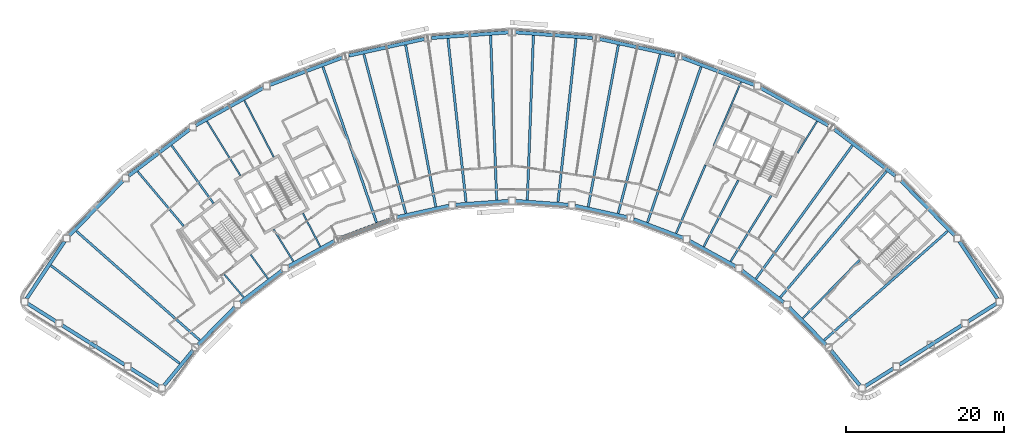
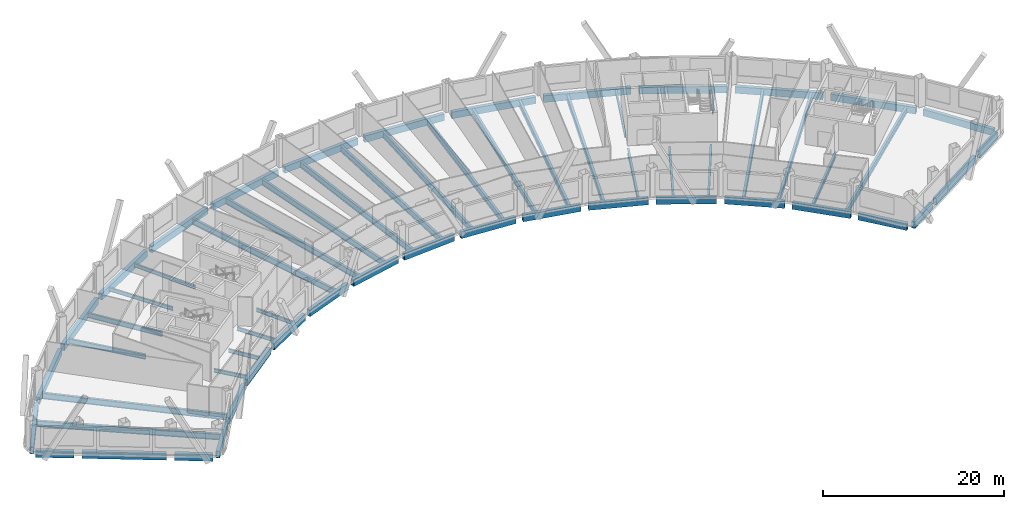
# One storey, part 3 of 13: 63 beams.
"""IFC4 building model written with IfcOpenShell, lengths in metres."""

import ifcopenshell
import ifcopenshell.guid

model = None  # the IFC model being written
_history = None  # IfcOwnerHistory: only IFC2X3 demands one
_inside = {}  # id of a spatial element -> (the spatial element, [elements in it])
_under = {}  # id of a project, library or spatial element -> (it, [spatial elements below it])
_declared = {}  # id of a project -> (the project, [libraries it declares])
_typed = {}  # id of a type object -> (the type object, [elements of that type])
_made_of = {}  # id of a material, layer set ... -> (it, [elements and type objects made of it])


def new_model(schema):
    """Start an empty IFC model of exactly this schema.

    Asked for "IFC4X3", IfcOpenShell would pick the latest addendum, in which some entities
    have other attributes; the version numbers below select the first issue.
    IFC2X3 requires an IfcOwnerHistory on every rooted entity: one is made here for all.
    """
    global model, _history
    if schema == "IFC4X3":
        model = ifcopenshell.file(schema_version=(4, 3, 0, 0))
    else:
        model = ifcopenshell.file(schema=schema)
    _inside.clear()
    _under.clear()
    _declared.clear()
    _typed.clear()
    _made_of.clear()
    _history = None
    if model.schema == "IFC2X3":
        org = make("IfcOrganization", Name="unknown")
        user = make(
            "IfcPersonAndOrganization",
            ThePerson=make("IfcPerson", FamilyName="unknown"),
            TheOrganization=org,
        )
        app = make(
            "IfcApplication",
            ApplicationDeveloper=org,
            Version="unknown",
            ApplicationFullName="unknown",
            ApplicationIdentifier="unknown",
        )
        _history = make(
            "IfcOwnerHistory",
            OwningUser=user,
            OwningApplication=app,
            ChangeAction="ADDED",
            CreationDate=0,
        )
    return model


def make(cls, **values):
    """One entity of the class cls with the attributes given. An attribute that is None is left unset."""
    return model.create_entity(
        cls, **{name: value for name, value in values.items() if value is not None}
    )


def rooted(cls, **values):
    """An entity with a GlobalId (a new one), such as an element, a storey or a relation."""
    return make(cls, GlobalId=ifcopenshell.guid.new(), OwnerHistory=_history, **values)


def si_unit(unit_type, name, prefix=None):
    """IfcSIUnit, for example si_unit("LENGTHUNIT", "METRE", prefix="MILLI")."""
    return make("IfcSIUnit", UnitType=unit_type, Prefix=prefix, Name=name)


def assignment(units):
    """IfcUnitAssignment: the units of a project."""
    return None if units is None else make("IfcUnitAssignment", Units=units)


def point(xyz):
    """IfcCartesianPoint."""
    return None if xyz is None else make("IfcCartesianPoint", Coordinates=xyz)


def direction(xyz):
    """IfcDirection."""
    return None if xyz is None else make("IfcDirection", DirectionRatios=xyz)


def frame(location, z_axis=None, x_axis=None):
    """IfcAxis2Placement3D, a coordinate frame: its origin and axes. An axis left out is left unset."""
    return make(
        "IfcAxis2Placement3D",
        Location=point(location),
        Axis=direction(z_axis),
        RefDirection=direction(x_axis),
    )


def frame_2d(location, x_axis=None):
    """IfcAxis2Placement2D, a coordinate frame in the plane: its origin and x axis."""
    return make(
        "IfcAxis2Placement2D", Location=point(location), RefDirection=direction(x_axis)
    )


def origin():
    """The frame at (0, 0, 0) with its axes left unset."""
    return frame((0.0, 0.0, 0.0))


def origin_2d():
    """The frame at (0, 0) in the plane with its x axis left unset."""
    return frame_2d((0.0, 0.0))


def place(relative_to, where):
    """IfcLocalPlacement: puts the frame where relative to a parent placement (None: the world)."""
    return make(
        "IfcLocalPlacement", PlacementRelTo=relative_to, RelativePlacement=where
    )


def context(
    kind, dimensions, precision=None, world=None, true_north=None, identifier=None
):
    """IfcGeometricRepresentationContext, for example the 3D "Model" context."""
    return make(
        "IfcGeometricRepresentationContext",
        ContextIdentifier=identifier,
        ContextType=kind,
        CoordinateSpaceDimension=dimensions,
        Precision=precision,
        WorldCoordinateSystem=world,
        TrueNorth=true_north,
    )


def subcontext(parent, identifier, kind, view, scale=None):
    """IfcGeometricRepresentationSubContext, for example "Body" below "Model"."""
    return make(
        "IfcGeometricRepresentationSubContext",
        ContextIdentifier=identifier,
        ContextType=kind,
        ParentContext=parent,
        TargetScale=scale,
        TargetView=view,
    )


def project(units=None, contexts=None):
    """IfcProject with its units and contexts."""
    return rooted(
        "IfcProject",
        Name="project",
        RepresentationContexts=contexts,
        UnitsInContext=assignment(units),
    )


def spatial(cls, under=None, at=None, **own):
    """A site, building, storey or space (cls), placed at a placement, below another one or the project."""
    s = rooted(cls, ObjectPlacement=at, **own)
    if under is not None:
        _under.setdefault(under.id(), (under, []))[1].append(s)
    return s


def profile(cls, at=None, kind="AREA", **sizes):
    """A parametric profile (cls). Its sizes go by their IFC names, for example OverallWidth=200.0."""
    return make(cls, ProfileType=kind, Position=at, **sizes)


def hollow_rectangle(**sizes):
    """IfcRectangleHollowProfileDef."""
    return profile("IfcRectangleHollowProfileDef", **sizes)


def i_section(**sizes):
    """IfcIShapeProfileDef."""
    return profile("IfcIShapeProfileDef", **sizes)


def extrude(swept, where, along, depth):
    """IfcExtrudedAreaSolid: the profile swept, set in the frame where, extruded along a direction by depth."""
    return make(
        "IfcExtrudedAreaSolid",
        SweptArea=swept,
        Position=where,
        ExtrudedDirection=direction(along),
        Depth=depth,
    )


def shape(context_of_items, identifier, shape_type, items):
    """IfcShapeRepresentation: the items that make up one representation, for example the "Body"."""
    return make(
        "IfcShapeRepresentation",
        ContextOfItems=context_of_items,
        RepresentationIdentifier=identifier,
        RepresentationType=shape_type,
        Items=items,
    )


def material(Name=None, Category=None):
    """IfcMaterial."""
    return make("IfcMaterial", Name=Name, Category=Category)


def material_profile(
    of_material, cross_section, Name=None, Category=None, Priority=None
):
    """IfcMaterialProfile: a cross section and its material."""
    return make(
        "IfcMaterialProfile",
        Name=Name,
        Material=of_material,
        Profile=cross_section,
        Priority=Priority,
        Category=Category,
    )


def profile_set(profiles, Name=None, composite=None):
    """IfcMaterialProfileSet."""
    return make(
        "IfcMaterialProfileSet",
        Name=Name,
        MaterialProfiles=profiles,
        CompositeProfile=composite,
    )


def made_of(thing, what):
    """Note that an element or type object is made of a material, layer set ...; save() writes the relation."""
    if what is not None:
        _made_of.setdefault(what.id(), (what, []))[1].append(thing)
    return thing


def type_object(cls, material=None, **own):
    """A type object (cls), such as IfcWallType, which elements share."""
    return made_of(rooted(cls, **own), material)


def element(
    cls,
    number,
    at=None,
    inside=None,
    cuts=None,
    type_object=None,
    material=None,
    context=None,
    identifier="Body",
    shape_type=None,
    held_by="IfcProductDefinitionShape",
    body=None,
    shapes=None,
    **own,
):
    """One element of the class cls, such as IfcWall. Its Tag is "e" and its number.

    at: its placement. inside: the storey or other place that contains it. cuts: it is an
    opening in that element (IfcRelVoidsElement). A single representation is given by context,
    identifier, shape_type and body (its items); several are given by shapes. held_by: the class
    of the entity that holds the representations. save() writes the other relations.
    """
    e = rooted(cls, Tag="e%d" % number, ObjectPlacement=at, **own)
    if body is not None:
        shapes = [shape(context, identifier, shape_type, body)]
    if shapes is not None:
        e.Representation = make(held_by, Representations=shapes)
    if inside is not None:
        _inside.setdefault(inside.id(), (inside, []))[1].append(e)
    if cuts is not None:
        rooted(
            "IfcRelVoidsElement", RelatingBuildingElement=cuts, RelatedOpeningElement=e
        )
    if type_object is not None:
        _typed.setdefault(type_object.id(), (type_object, []))[1].append(e)
    return made_of(e, material)


def aggregate(whole, parts):
    """IfcRelAggregates: a whole, such as a stair, and the parts it consists of."""
    return rooted("IfcRelAggregates", RelatingObject=whole, RelatedObjects=parts)


def save(model, path):
    """Write the relations noted so far, then the file.

    IfcRelAggregates (storeys below a building ...), IfcRelContainedInSpatialStructure (elements
    in a storey), IfcRelDefinesByType, IfcRelAssociatesMaterial and IfcRelDeclares: one each for
    every whole, place, type object, material and project.
    """
    for whole, parts in _under.values():
        aggregate(whole, parts)
    for where, things in _inside.values():
        rooted(
            "IfcRelContainedInSpatialStructure",
            RelatedElements=things,
            RelatingStructure=where,
        )
    for kind, things in _typed.values():
        rooted("IfcRelDefinesByType", RelatedObjects=things, RelatingType=kind)
    for what, things in _made_of.values():
        rooted("IfcRelAssociatesMaterial", RelatedObjects=things, RelatingMaterial=what)
    for by, libraries in _declared.values():
        rooted("IfcRelDeclares", RelatingContext=by, RelatedDefinitions=libraries)
    model.write(path)


model = new_model("IFC4")

# Units and contexts
model_context = context("Model", 3, precision=1e-05, world=origin(), true_north=direction((0.0, 1.0)))
body_context = subcontext(model_context, "Body", "Model", "MODEL_VIEW")
ifc_project = project(units=[si_unit("LENGTHUNIT", "METRE"), si_unit("AREAUNIT", "SQUARE_METRE"), si_unit("VOLUMEUNIT", "CUBIC_METRE"), si_unit("PLANEANGLEUNIT", "RADIAN"), si_unit("MASSUNIT", "GRAM", prefix="KILO")], contexts=[model_context])

# Site, building, storey
site_placement = place(None, origin())
site = spatial("IfcSite", under=ifc_project, at=site_placement, CompositionType="ELEMENT")
building_placement = place(site_placement, origin())
building = spatial("IfcBuilding", under=site, at=building_placement, Name="Tuul Gate Civic Tower", CompositionType="ELEMENT")
storey_placement = place(building_placement, frame((0.0, 0.0, 188.89990234375)))
storey = spatial("IfcBuildingStorey", under=building, at=storey_placement, Name="Level 43", CompositionType="ELEMENT", Elevation=188.89990234375)

# Beams
ifc_material_1 = material(Name="Steel S355", Category="steel")
ifc_material_profile_1 = material_profile(ifc_material_1, i_section(OverallWidth=0.199951171875, OverallDepth=0.5, WebThickness=0.010009765625, FlangeThickness=0.01611328125, at=origin_2d()), Name="PG500x200x10x16")
ifc_profile_set_1 = profile_set([ifc_material_profile_1], Name="Steel S355")
beam_type_1 = type_object("IfcBeamType", Name="STR-FLOOR BEAM-PG500x200x10x16", PredefinedType="BEAM", material=ifc_profile_set_1)
beam_1_placement = place(storey_placement, frame((37.12646484375, -1.677734375, -0.5498046875), z_axis=(0.524844644299, 0.85119803768, 0.0), x_axis=(-0.85119803768, 0.524844644299, 0.0)))
element("IfcBeam", 1, at=beam_1_placement, inside=storey, type_object=beam_type_1, Name="Floor beam", PredefinedType="BEAM", context=body_context, shape_type="SweptSolid", body=[
    extrude(i_section(OverallWidth=0.199951171875, OverallDepth=0.5, WebThickness=0.010009765625, FlangeThickness=0.01611328125, at=origin_2d()), origin(), (0.0, 0.0, 1.0), 4.683837890625),
])
beam_2_placement = place(storey_placement, frame((26.525390625, -0.75048828125, -0.5498046875), z_axis=(0.394205580746, 0.919022284882, 0.0), x_axis=(-0.919022284882, 0.394205580746, 0.0)))
element("IfcBeam", 2, at=beam_2_placement, inside=storey, type_object=beam_type_1, Name="Floor beam", PredefinedType="BEAM", context=body_context, shape_type="SweptSolid", body=[
    extrude(i_section(OverallWidth=0.199951171875, OverallDepth=0.5, WebThickness=0.010009765625, FlangeThickness=0.01611328125, at=origin_2d()), origin(), (0.0, 0.0, 1.0), 8.748046875),
])
beam_3_placement = place(storey_placement, frame((-23.281494140625, -13.532958984375, -0.5498046875), z_axis=(-0.460788847224, 0.887509796157, 0.0), x_axis=(-0.887509796157, -0.460788847224, 0.0)))
element("IfcBeam", 3, at=beam_3_placement, inside=storey, type_object=beam_type_1, Name="Floor beam", PredefinedType="BEAM", context=body_context, shape_type="SweptSolid", body=[
    extrude(i_section(OverallWidth=0.199951171875, OverallDepth=0.5, WebThickness=0.010009765625, FlangeThickness=0.01611328125, at=origin_2d()), origin(), (0.0, 0.0, 1.0), 4.75830078125),
])
beam_4_placement = place(storey_placement, frame((-29.16162109375, -2.207275390625, -0.5498046875), z_axis=(-0.460778504814, 0.887515165787, 0.0), x_axis=(-0.887515165787, -0.460778504814, 0.0)))
element("IfcBeam", 4, at=beam_4_placement, inside=storey, type_object=beam_type_1, Name="Floor beam", PredefinedType="BEAM", context=body_context, shape_type="SweptSolid", body=[
    extrude(i_section(OverallWidth=0.199951171875, OverallDepth=0.5, WebThickness=0.010009765625, FlangeThickness=0.01611328125, at=origin_2d()), origin(), (0.0, 0.0, 1.0), 8.046630859375),
])
beam_5_placement = place(storey_placement, frame((-26.676513671875, -15.414306640625, -0.5498046875), z_axis=(-0.524841029393, 0.851200266603, 0.0), x_axis=(-0.851200266603, -0.524841029393, 0.0)))
element("IfcBeam", 5, at=beam_5_placement, inside=storey, type_object=beam_type_1, Name="Floor beam", PredefinedType="BEAM", context=body_context, shape_type="SweptSolid", body=[
    extrude(i_section(OverallWidth=0.199951171875, OverallDepth=0.5, WebThickness=0.010009765625, FlangeThickness=0.01611328125, at=origin_2d()), origin(), (0.0, 0.0, 1.0), 4.761474609375),
])
beam_6_placement = place(storey_placement, frame((-33.378662109375, -4.544677734375, -0.5498046875), z_axis=(-0.52487369229, 0.851180126143, 0.0), x_axis=(-0.851180126143, -0.52487369229, 0.0)))
element("IfcBeam", 6, at=beam_6_placement, inside=storey, type_object=beam_type_1, Name="Floor beam", PredefinedType="BEAM", context=body_context, shape_type="SweptSolid", body=[
    extrude(i_section(OverallWidth=0.199951171875, OverallDepth=0.5, WebThickness=0.010009765625, FlangeThickness=0.01611328125, at=origin_2d()), origin(), (0.0, 0.0, 1.0), 8.052001953125),
])
beam_7_placement = place(storey_placement, frame((-29.880126953125, -17.60546875, -0.5498046875), z_axis=(-0.586071028006, 0.810259680678, 0.0), x_axis=(-0.810259680678, -0.586071028006, 0.0)))
element("IfcBeam", 7, at=beam_7_placement, inside=storey, type_object=beam_type_1, Name="Floor beam", PredefinedType="BEAM", context=body_context, shape_type="SweptSolid", body=[
    extrude(i_section(OverallWidth=0.199951171875, OverallDepth=0.5, WebThickness=0.010009765625, FlangeThickness=0.01611328125, at=origin_2d()), origin(), (0.0, 0.0, 1.0), 3.776611328125),
])
beam_8_placement = place(storey_placement, frame((-32.96826171875, -19.95703125, -0.5498046875), z_axis=(-0.644139723265, 0.764907848641, 0.0), x_axis=(-0.764907848641, -0.644139723265, 0.0)))
element("IfcBeam", 8, at=beam_8_placement, inside=storey, type_object=beam_type_1, Name="Floor beam", PredefinedType="BEAM", context=body_context, shape_type="SweptSolid", body=[
    extrude(i_section(OverallWidth=0.199951171875, OverallDepth=0.5, WebThickness=0.010009765625, FlangeThickness=0.01611328125, at=origin_2d()), origin(), (0.0, 0.0, 1.0), 3.7802734375),
])
ifc_material_2 = material(Name="Steel S355", Category="steel")
ifc_material_profile_2 = material_profile(ifc_material_2, i_section(OverallWidth=0.25, OverallDepth=0.64990234375, WebThickness=0.011962890625, FlangeThickness=0.02001953125, at=origin_2d()), Name="PG650x250x12x20")
ifc_profile_set_2 = profile_set([ifc_material_profile_2], Name="Steel S355")
beam_type_2 = type_object("IfcBeamType", Name="STR-FLOOR BEAM-PG650x250x12x20", PredefinedType="BEAM", material=ifc_profile_set_2)
beam_9_placement = place(storey_placement, frame((37.78857421875, -22.6025390625, -0.625), z_axis=(0.698688167973, 0.715426337182, 0.0), x_axis=(-0.715426337182, 0.698688167973, 0.0)))
element("IfcBeam", 9, at=beam_9_placement, inside=storey, type_object=beam_type_2, Name="Floor beam", PredefinedType="BEAM", context=body_context, shape_type="SweptSolid", body=[
    extrude(i_section(OverallWidth=0.25, OverallDepth=0.64990234375, WebThickness=0.011962890625, FlangeThickness=0.02001953125, at=origin_2d()), origin(), (0.0, 0.0, 1.0), 10.297607421875),
])
beam_10_placement = place(storey_placement, frame((28.656005859375, -15.41455078125, -0.625), z_axis=(0.524868843882, 0.851183115858, 0.0), x_axis=(-0.851183115858, 0.524868843882, 0.0)))
element("IfcBeam", 10, at=beam_10_placement, inside=storey, type_object=beam_type_2, Name="Floor beam", PredefinedType="BEAM", context=body_context, shape_type="SweptSolid", body=[
    extrude(i_section(OverallWidth=0.25, OverallDepth=0.64990234375, WebThickness=0.011962890625, FlangeThickness=0.02001953125, at=origin_2d()), origin(), (0.0, 0.0, 1.0), 9.79736328125),
])
beam_11_placement = place(storey_placement, frame((25.261474609375, -13.532958984375, -0.625), z_axis=(0.460764890878, 0.887522233713, 0.0), x_axis=(-0.887522233713, 0.460764890878, 0.0)))
element("IfcBeam", 11, at=beam_11_placement, inside=storey, type_object=beam_type_2, Name="Floor beam", PredefinedType="BEAM", context=body_context, shape_type="SweptSolid", body=[
    extrude(i_section(OverallWidth=0.25, OverallDepth=0.64990234375, WebThickness=0.011962890625, FlangeThickness=0.02001953125, at=origin_2d()), origin(), (0.0, 0.0, 1.0), 9.46923828125),
])
beam_12_placement = place(storey_placement, frame((21.7666015625, -11.84521484375, -0.625), z_axis=(0.394179109601, 0.919033638968, 0.0), x_axis=(-0.919033638968, 0.394179109601, 0.0)))
element("IfcBeam", 12, at=beam_12_placement, inside=storey, type_object=beam_type_2, Name="Floor beam", PredefinedType="BEAM", context=body_context, shape_type="SweptSolid", body=[
    extrude(i_section(OverallWidth=0.25, OverallDepth=0.64990234375, WebThickness=0.011962890625, FlangeThickness=0.02001953125, at=origin_2d()), origin(), (0.0, 0.0, 1.0), 9.41259765625),
])
beam_13_placement = place(storey_placement, frame((-36.783447265625, -8.061767578125, -0.625), z_axis=(-0.586088809685, 0.810246818668, 0.0), x_axis=(-0.810246818668, -0.586088809685, 0.0)))
element("IfcBeam", 13, at=beam_13_placement, inside=storey, type_object=beam_type_2, Name="Floor beam", PredefinedType="BEAM", context=body_context, shape_type="SweptSolid", body=[
    extrude(i_section(OverallWidth=0.25, OverallDepth=0.64990234375, WebThickness=0.011962890625, FlangeThickness=0.02001953125, at=origin_2d()), origin(), (0.0, 0.0, 1.0), 9.02685546875),
])
beam_14_placement = place(storey_placement, frame((-40.5625, -10.93896484375, -0.625), z_axis=(-0.644130753202, 0.764915402368, 0.0), x_axis=(-0.764915402368, -0.644130753202, 0.0)))
element("IfcBeam", 14, at=beam_14_placement, inside=storey, type_object=beam_type_2, Name="Floor beam", PredefinedType="BEAM", context=body_context, shape_type="SweptSolid", body=[
    extrude(i_section(OverallWidth=0.25, OverallDepth=0.64990234375, WebThickness=0.011962890625, FlangeThickness=0.02001953125, at=origin_2d()), origin(), (0.0, 0.0, 1.0), 9.03515625),
])
ifc_material_3 = material(Name="Steel S355", Category="steel")
ifc_material_profile_3 = material_profile(ifc_material_3, i_section(OverallWidth=0.300048828125, OverallDepth=0.800048828125, WebThickness=0.013916015625, FlangeThickness=0.02490234375, at=origin_2d()), Name="PG800x300x14x25")
ifc_profile_set_3 = profile_set([ifc_material_profile_3], Name="Steel S355")
beam_type_3 = type_object("IfcBeamType", Name="STR-FLOOR BEAM-PG800x300x14x25", PredefinedType="BEAM", material=ifc_profile_set_3)
beam_15_placement = place(storey_placement, frame((40.505615234375, -25.375, -0.699951171875), z_axis=(0.749453243269, 0.662057275584, 0.0), x_axis=(-0.662057275584, 0.749453243269, 0.0)))
element("IfcBeam", 15, at=beam_15_placement, inside=storey, type_object=beam_type_3, Name="Floor beam", PredefinedType="BEAM", context=body_context, shape_type="SweptSolid", body=[
    extrude(i_section(OverallWidth=0.300048828125, OverallDepth=0.800048828125, WebThickness=0.013916015625, FlangeThickness=0.02490234375, at=origin_2d()), origin(), (0.0, 0.0, 1.0), 20.828369140625),
])
beam_16_placement = place(storey_placement, frame((34.9482421875, -19.95703125, -0.699951171875), z_axis=(0.644134662718, 0.76491211017, 0.0), x_axis=(-0.76491211017, 0.644134662718, 0.0)))
element("IfcBeam", 16, at=beam_16_placement, inside=storey, type_object=beam_type_3, Name="Floor beam", PredefinedType="BEAM", context=body_context, shape_type="SweptSolid", body=[
    extrude(i_section(OverallWidth=0.300048828125, OverallDepth=0.800048828125, WebThickness=0.013916015625, FlangeThickness=0.02490234375, at=origin_2d()), origin(), (0.0, 0.0, 1.0), 20.824462890625),
])
beam_17_placement = place(storey_placement, frame((31.859619140625, -17.605712890625, -0.699951171875), z_axis=(0.586088482084, 0.810247055637, 0.0), x_axis=(-0.810247055637, 0.586088482084, 0.0)))
element("IfcBeam", 17, at=beam_17_placement, inside=storey, type_object=beam_type_3, Name="Floor beam", PredefinedType="BEAM", context=body_context, shape_type="SweptSolid", body=[
    extrude(i_section(OverallWidth=0.300048828125, OverallDepth=0.800048828125, WebThickness=0.013916015625, FlangeThickness=0.02490234375, at=origin_2d()), origin(), (0.0, 0.0, 1.0), 20.805908203125),
])
beam_18_placement = place(storey_placement, frame((18.13623046875, -10.472412109375, -0.699951171875), z_axis=(0.325483363772, 0.945547767121, 0.0), x_axis=(-0.945547767121, 0.325483363772, 0.0)))
element("IfcBeam", 18, at=beam_18_placement, inside=storey, type_object=beam_type_3, Name="Floor beam", PredefinedType="BEAM", context=body_context, shape_type="SweptSolid", body=[
    extrude(i_section(OverallWidth=0.300048828125, OverallDepth=0.800048828125, WebThickness=0.013916015625, FlangeThickness=0.02490234375, at=origin_2d()), origin(), (0.0, 0.0, 1.0), 20.8095703125),
])
beam_19_placement = place(storey_placement, frame((14.428466796875, -9.325927734375, -0.699951171875), z_axis=(0.255004720301, 0.96693980817, 0.0), x_axis=(-0.96693980817, 0.255004720301, 0.0)))
element("IfcBeam", 19, at=beam_19_placement, inside=storey, type_object=beam_type_3, Name="Floor beam", PredefinedType="BEAM", context=body_context, shape_type="SweptSolid", body=[
    extrude(i_section(OverallWidth=0.300048828125, OverallDepth=0.800048828125, WebThickness=0.013916015625, FlangeThickness=0.02490234375, at=origin_2d()), origin(), (0.0, 0.0, 1.0), 20.817626953125),
])
beam_20_placement = place(storey_placement, frame((10.638427734375, -8.49072265625, -0.699951171875), z_axis=(0.183147342328, 0.98308547492, 0.0), x_axis=(-0.98308547492, 0.183147342328, 0.0)))
element("IfcBeam", 20, at=beam_20_placement, inside=storey, type_object=beam_type_3, Name="Floor beam", PredefinedType="BEAM", context=body_context, shape_type="SweptSolid", body=[
    extrude(i_section(OverallWidth=0.300048828125, OverallDepth=0.800048828125, WebThickness=0.013916015625, FlangeThickness=0.02490234375, at=origin_2d()), origin(), (0.0, 0.0, 1.0), 20.811279296875),
])
beam_21_placement = place(storey_placement, frame((6.80126953125, -7.91064453125, -0.699951171875), z_axis=(0.1102757583, 0.993901029847, 0.0), x_axis=(-0.993901029847, 0.1102757583, 0.0)))
element("IfcBeam", 21, at=beam_21_placement, inside=storey, type_object=beam_type_3, Name="Floor beam", PredefinedType="BEAM", context=body_context, shape_type="SweptSolid", body=[
    extrude(i_section(OverallWidth=0.300048828125, OverallDepth=0.800048828125, WebThickness=0.013916015625, FlangeThickness=0.02490234375, at=origin_2d()), origin(), (0.0, 0.0, 1.0), 20.815185546875),
])
for number, where, z_axis, x_axis, name in (
    (22, (2.930419921875, -7.630126953125, -0.699951171875), (0.036820332995, 0.99932190163, 0.0), (-0.99932190163, 0.036820332995, 0.0), "Floor beam"),
    (23, (-0.950439453125, -7.630126953125, -0.699951171875), (-0.036832047042, 0.999321469954, 0.0), (-0.999321469954, -0.036832047042, 0.0), "Floor beam"),
):
    element("IfcBeam", number, at=place(storey_placement, frame(where, z_axis=z_axis, x_axis=x_axis)), inside=storey, type_object=beam_type_3, Name=name, PredefinedType="BEAM", context=body_context, shape_type="SweptSolid", body=[
        extrude(i_section(OverallWidth=0.300048828125, OverallDepth=0.800048828125, WebThickness=0.013916015625, FlangeThickness=0.02490234375, at=origin_2d()), origin(), (0.0, 0.0, 1.0), 20.8134765625),
    ])
beam_22_placement = place(storey_placement, frame((-4.8212890625, -7.91064453125, -0.699951171875), z_axis=(-0.110287344613, 0.993899744249, 0.0), x_axis=(-0.993899744249, -0.110287344613, 0.0)))
element("IfcBeam", 24, at=beam_22_placement, inside=storey, type_object=beam_type_3, Name="Floor beam", PredefinedType="BEAM", context=body_context, shape_type="SweptSolid", body=[
    extrude(i_section(OverallWidth=0.300048828125, OverallDepth=0.800048828125, WebThickness=0.013916015625, FlangeThickness=0.02490234375, at=origin_2d()), origin(), (0.0, 0.0, 1.0), 20.815185546875),
])
beam_23_placement = place(storey_placement, frame((-8.658447265625, -8.49072265625, -0.699951171875), z_axis=(-0.183145230157, 0.983085868412, 0.0), x_axis=(-0.983085868412, -0.183145230157, 0.0)))
element("IfcBeam", 25, at=beam_23_placement, inside=storey, type_object=beam_type_3, Name="Floor beam", PredefinedType="BEAM", context=body_context, shape_type="SweptSolid", body=[
    extrude(i_section(OverallWidth=0.300048828125, OverallDepth=0.800048828125, WebThickness=0.013916015625, FlangeThickness=0.02490234375, at=origin_2d()), origin(), (0.0, 0.0, 1.0), 20.8115234375),
])
beam_24_placement = place(storey_placement, frame((-12.44873046875, -9.325927734375, -0.699951171875), z_axis=(-0.255004720301, 0.96693980817, 0.0), x_axis=(-0.96693980817, -0.255004720301, 0.0)))
element("IfcBeam", 26, at=beam_24_placement, inside=storey, type_object=beam_type_3, Name="Floor beam", PredefinedType="BEAM", context=body_context, shape_type="SweptSolid", body=[
    extrude(i_section(OverallWidth=0.300048828125, OverallDepth=0.800048828125, WebThickness=0.013916015625, FlangeThickness=0.02490234375, at=origin_2d()), origin(), (0.0, 0.0, 1.0), 20.817626953125),
])
beam_25_placement = place(storey_placement, frame((-16.15625, -10.47265625, -0.699951171875), z_axis=(-0.325493852911, 0.945544156408, 0.0), x_axis=(-0.945544156408, -0.325493852911, 0.0)))
element("IfcBeam", 27, at=beam_25_placement, inside=storey, type_object=beam_type_3, Name="Floor beam", PredefinedType="BEAM", context=body_context, shape_type="SweptSolid", body=[
    extrude(i_section(OverallWidth=0.300048828125, OverallDepth=0.800048828125, WebThickness=0.013916015625, FlangeThickness=0.02490234375, at=origin_2d()), origin(), (0.0, 0.0, 1.0), 20.809814453125),
])
beam_26_placement = place(storey_placement, frame((-38.525634765625, -25.375, -0.699951171875), z_axis=(-0.749453243269, 0.662057275584, 0.0), x_axis=(-0.662057275584, -0.749453243269, 0.0)))
element("IfcBeam", 28, at=beam_26_placement, inside=storey, type_object=beam_type_3, Name="Floor beam", PredefinedType="BEAM", context=body_context, shape_type="SweptSolid", body=[
    extrude(i_section(OverallWidth=0.300048828125, OverallDepth=0.800048828125, WebThickness=0.013916015625, FlangeThickness=0.02490234375, at=origin_2d()), origin(), (0.0, 0.0, 1.0), 20.828369140625),
])
beam_27_placement = place(storey_placement, frame((-41.064697265625, -28.31982421875, -0.699951171875), z_axis=(-0.796156676215, 0.60509052787, 0.0), x_axis=(-0.60509052787, -0.796156676215, 0.0)))
element("IfcBeam", 29, at=beam_27_placement, inside=storey, type_object=beam_type_3, Name="Floor beam", PredefinedType="BEAM", context=body_context, shape_type="SweptSolid", body=[
    extrude(i_section(OverallWidth=0.300048828125, OverallDepth=0.800048828125, WebThickness=0.013916015625, FlangeThickness=0.02490234375, at=origin_2d()), origin(), (0.0, 0.0, 1.0), 20.46240234375),
])
ifc_material_4 = material(Name="Steel S355", Category="steel")
ifc_material_profile_4 = material_profile(ifc_material_4, hollow_rectangle(XDim=0.449951171875, YDim=0.89990234375, WallThickness=0.02490234375, at=origin_2d()), Name="BOX900x450x25")
ifc_profile_set_4 = profile_set([ifc_material_profile_4], Name="Steel S355")
beam_type_4 = type_object("IfcBeamType", Name="STR-SPANDREL BEAM-BOX900x450x25", PredefinedType="BEAM", material=ifc_profile_set_4)
beam_28_placement = place(storey_placement, frame((62.412841796875, -20.1376953125, -0.75), z_axis=(-0.551603333342, 0.834106565521, 0.0), x_axis=(-0.834106565521, -0.551603333342, 0.0)))
element("IfcBeam", 30, at=beam_28_placement, inside=storey, type_object=beam_type_4, Name="Spandrel beam", PredefinedType="BEAM", context=body_context, shape_type="SweptSolid", body=[
    extrude(hollow_rectangle(XDim=0.449951171875, YDim=0.89990234375, WallThickness=0.02490234375, at=origin_2d()), origin(), (0.0, 0.0, 1.0), 8.706787109375),
])
beam_29_placement = place(storey_placement, frame((57.046875, -12.1787109375, -0.75), z_axis=(-0.700043201451, 0.7141004944, 0.0), x_axis=(-0.7141004944, -0.700043201451, 0.0)))
element("IfcBeam", 31, at=beam_29_placement, inside=storey, type_object=beam_type_4, Name="Spandrel beam", PredefinedType="BEAM", context=body_context, shape_type="SweptSolid", body=[
    extrude(hollow_rectangle(XDim=0.449951171875, YDim=0.89990234375, WallThickness=0.02490234375, at=origin_2d()), origin(), (0.0, 0.0, 1.0), 9.77783203125),
])
for number, where, z_axis, x_axis, name in (
    (32, (49.529052734375, -4.602294921875, -0.75), (-0.795643188576, 0.605765562303, 0.0), (-0.605765562303, -0.795643188576, 0.0), "Spandrel beam"),
    (33, (40.99853515625, 1.811279296875, -0.75), (-0.874595083596, 0.484854039634, 0.0), (-0.484854039634, -0.874595083596, 0.0), "Spandrel beam"),
):
    element("IfcBeam", number, at=place(storey_placement, frame(where, z_axis=z_axis, x_axis=x_axis)), inside=storey, type_object=beam_type_4, Name=name, PredefinedType="BEAM", context=body_context, shape_type="SweptSolid", body=[
        extrude(hollow_rectangle(XDim=0.449951171875, YDim=0.89990234375, WallThickness=0.02490234375, at=origin_2d()), origin(), (0.0, 0.0, 1.0), 9.777099609375),
    ])
beam_30_placement = place(storey_placement, frame((31.633056640625, 6.92919921875, -0.75), z_axis=(-0.935371339929, 0.353667154878, 0.0), x_axis=(-0.353667154878, -0.935371339929, 0.0)))
element("IfcBeam", 34, at=beam_30_placement, inside=storey, type_object=beam_type_4, Name="Spandrel beam", PredefinedType="BEAM", context=body_context, shape_type="SweptSolid", body=[
    extrude(hollow_rectangle(XDim=0.449951171875, YDim=0.89990234375, WallThickness=0.02490234375, at=origin_2d()), origin(), (0.0, 0.0, 1.0), 9.77685546875),
])
beam_31_placement = place(storey_placement, frame((21.62744140625, 10.642822265625, -0.75), z_axis=(-0.976570324129, 0.215198517722, 0.0), x_axis=(-0.215198517722, -0.976570324129, 0.0)))
element("IfcBeam", 35, at=beam_31_placement, inside=storey, type_object=beam_type_4, Name="Spandrel beam", PredefinedType="BEAM", context=body_context, shape_type="SweptSolid", body=[
    extrude(hollow_rectangle(XDim=0.449951171875, YDim=0.89990234375, WallThickness=0.02490234375, at=origin_2d()), origin(), (0.0, 0.0, 1.0), 9.778076171875),
])
beam_32_placement = place(storey_placement, frame((11.190185546875, 12.87646484375, -0.75), z_axis=(-0.997381821188, 0.07231530104, 0.0), x_axis=(-0.07231530104, -0.997381821188, 0.0)))
element("IfcBeam", 36, at=beam_32_placement, inside=storey, type_object=beam_type_4, Name="Spandrel beam", PredefinedType="BEAM", context=body_context, shape_type="SweptSolid", body=[
    extrude(hollow_rectangle(XDim=0.449951171875, YDim=0.89990234375, WallThickness=0.02490234375, at=origin_2d()), origin(), (0.0, 0.0, 1.0), 9.777099609375),
])
beam_33_placement = place(storey_placement, frame((0.541259765625, 13.58349609375, -0.75), z_axis=(-0.997382343448, -0.072308097597, 0.0), x_axis=(0.072308097597, -0.997382343448, 0.0)))
element("IfcBeam", 37, at=beam_33_placement, inside=storey, type_object=beam_type_4, Name="Spandrel beam", PredefinedType="BEAM", context=body_context, shape_type="SweptSolid", body=[
    extrude(hollow_rectangle(XDim=0.449951171875, YDim=0.89990234375, WallThickness=0.02490234375, at=origin_2d()), origin(), (0.0, 0.0, 1.0), 9.778076171875),
])
for number, where, z_axis, x_axis, name in (
    (38, (-10.099365234375, 12.7470703125, -0.75), (-0.976565698355, -0.215219508403, 0.0), (0.215219508403, -0.976565698355, 0.0), "Spandrel beam"),
    (39, (-20.5078125, 10.386962890625, -0.75), (-0.935374463229, -0.35365889433, 0.0), (0.35365889433, -0.935374463229, 0.0), "Spandrel beam"),
    (40, (-30.467529296875, 6.5517578125, -0.75), (-0.874595083596, -0.484854039634, 0.0), (0.484854039634, -0.874595083596, 0.0), "Spandrel beam"),
):
    element("IfcBeam", number, at=place(storey_placement, frame(where, z_axis=z_axis, x_axis=x_axis)), inside=storey, type_object=beam_type_4, Name=name, PredefinedType="BEAM", context=body_context, shape_type="SweptSolid", body=[
        extrude(hollow_rectangle(XDim=0.449951171875, YDim=0.89990234375, WallThickness=0.02490234375, at=origin_2d()), origin(), (0.0, 0.0, 1.0), 9.777099609375),
    ])
beam_34_placement = place(storey_placement, frame((-39.77001953125, 1.3203125, -0.75), z_axis=(-0.795667802621, -0.605733231606, 0.0), x_axis=(0.605733231606, -0.795667802621, 0.0)))
element("IfcBeam", 41, at=beam_34_placement, inside=storey, type_object=beam_type_4, Name="Spandrel beam", PredefinedType="BEAM", context=body_context, shape_type="SweptSolid", body=[
    extrude(hollow_rectangle(XDim=0.449951171875, YDim=0.89990234375, WallThickness=0.02490234375, at=origin_2d()), origin(), (0.0, 0.0, 1.0), 9.778076171875),
])
beam_35_placement = place(storey_placement, frame((-48.222900390625, -5.1962890625, -0.75), z_axis=(-0.699992266311, -0.714150423304, 0.0), x_axis=(0.714150423304, -0.699992266311, 0.0)))
element("IfcBeam", 42, at=beam_35_placement, inside=storey, type_object=beam_type_4, Name="Spandrel beam", PredefinedType="BEAM", context=body_context, shape_type="SweptSolid", body=[
    extrude(hollow_rectangle(XDim=0.449951171875, YDim=0.89990234375, WallThickness=0.02490234375, at=origin_2d()), origin(), (0.0, 0.0, 1.0), 9.77734375),
])
beam_36_placement = place(storey_placement, frame((-55.630126953125, -12.875244140625, -0.75), z_axis=(-0.551603333342, -0.834106565521, 0.0), x_axis=(0.834106565521, -0.551603333342, 0.0)))
element("IfcBeam", 43, at=beam_36_placement, inside=storey, type_object=beam_type_4, Name="Spandrel beam", PredefinedType="BEAM", context=body_context, shape_type="SweptSolid", body=[
    extrude(hollow_rectangle(XDim=0.449951171875, YDim=0.89990234375, WallThickness=0.02490234375, at=origin_2d()), origin(), (0.0, 0.0, 1.0), 8.706787109375),
])
beam_37_placement = place(storey_placement, frame((-60.30029296875, -20.752685546875, -0.75), z_axis=(0.846210678029, -0.53284846663, 0.0), x_axis=(0.53284846663, 0.846210678029, 0.0)))
element("IfcBeam", 44, at=beam_37_placement, inside=storey, type_object=beam_type_4, Name="Spandrel beam", PredefinedType="BEAM", context=body_context, shape_type="SweptSolid", body=[
    extrude(hollow_rectangle(XDim=0.449951171875, YDim=0.89990234375, WallThickness=0.02490234375, at=origin_2d()), origin(), (0.0, 0.0, 1.0), 4.231201171875),
])
beam_38_placement = place(storey_placement, frame((-55.958251953125, -23.48681640625, -0.75), z_axis=(0.846197569515, -0.532869283545, 0.0), x_axis=(0.532869283545, 0.846197569515, 0.0)))
element("IfcBeam", 45, at=beam_38_placement, inside=storey, type_object=beam_type_4, Name="Spandrel beam", PredefinedType="BEAM", context=body_context, shape_type="SweptSolid", body=[
    extrude(hollow_rectangle(XDim=0.449951171875, YDim=0.89990234375, WallThickness=0.02490234375, at=origin_2d()), origin(), (0.0, 0.0, 1.0), 9.363525390625),
])
beam_39_placement = place(storey_placement, frame((-47.273193359375, -28.955810546875, -0.75), z_axis=(0.846181780982, -0.532894354947, 0.0), x_axis=(0.532894354947, 0.846181780982, 0.0)))
element("IfcBeam", 46, at=beam_39_placement, inside=storey, type_object=beam_type_4, Name="Spandrel beam", PredefinedType="BEAM", context=body_context, shape_type="SweptSolid", body=[
    extrude(hollow_rectangle(XDim=0.449951171875, YDim=0.89990234375, WallThickness=0.02490234375, at=origin_2d()), origin(), (0.0, 0.0, 1.0), 4.232421875),
])
beam_40_placement = place(storey_placement, frame((-43.025634765625, -31.10302734375, -0.75), z_axis=(0.63441351957, 0.772993846151, 0.0), x_axis=(-0.772993846151, 0.63441351957, 0.0)))
element("IfcBeam", 47, at=beam_40_placement, inside=storey, type_object=beam_type_4, Name="Spandrel beam", PredefinedType="BEAM", context=body_context, shape_type="SweptSolid", body=[
    extrude(hollow_rectangle(XDim=0.449951171875, YDim=0.89990234375, WallThickness=0.02490234375, at=origin_2d()), origin(), (0.0, 0.0, 1.0), 5.751953125),
])
beam_41_placement = place(storey_placement, frame((-38.776123046875, -25.987548828125, -0.75), z_axis=(0.699975106634, 0.714167242383, 0.0), x_axis=(-0.714167242383, 0.699975106634, 0.0)))
element("IfcBeam", 48, at=beam_41_placement, inside=storey, type_object=beam_type_4, Name="Spandrel beam", PredefinedType="BEAM", context=body_context, shape_type="SweptSolid", body=[
    extrude(hollow_rectangle(XDim=0.449951171875, YDim=0.89990234375, WallThickness=0.02490234375, at=origin_2d()), origin(), (0.0, 0.0, 1.0), 6.69189453125),
])
for number, where, z_axis, x_axis, name in (
    (49, (-33.4189453125, -20.614501953125, -0.75), (0.795605051583, 0.605815650091, 0.0), (-0.605815650091, 0.795605051583, 0.0), "Spandrel beam"),
    (50, (-27.343505859375, -16.06982421875, -0.75), (0.87466619377, 0.48472574666, 0.0), (-0.48472574666, 0.87466619377, 0.0), "Spandrel beam"),
):
    element("IfcBeam", number, at=place(storey_placement, frame(where, z_axis=z_axis, x_axis=x_axis)), inside=storey, type_object=beam_type_4, Name=name, PredefinedType="BEAM", context=body_context, shape_type="SweptSolid", body=[
        extrude(hollow_rectangle(XDim=0.449951171875, YDim=0.89990234375, WallThickness=0.02490234375, at=origin_2d()), origin(), (0.0, 0.0, 1.0), 6.691650390625),
    ])
beam_42_placement = place(storey_placement, frame((-20.676025390625, -12.44873046875, -0.75), z_axis=(0.935376636167, 0.353653147184, 0.0), x_axis=(-0.353653147184, 0.935376636167, 0.0)))
element("IfcBeam", 51, at=beam_42_placement, inside=storey, type_object=beam_type_4, Name="Spandrel beam", PredefinedType="BEAM", context=body_context, shape_type="SweptSolid", body=[
    extrude(hollow_rectangle(XDim=0.449951171875, YDim=0.89990234375, WallThickness=0.02490234375, at=origin_2d()), origin(), (0.0, 0.0, 1.0), 6.69140625),
])
beam_43_placement = place(storey_placement, frame((-13.556640625, -9.826171875, -0.75), z_axis=(0.976559873442, 0.215245937437, 0.0), x_axis=(-0.215245937437, 0.976559873442, 0.0)))
element("IfcBeam", 52, at=beam_43_placement, inside=storey, type_object=beam_type_4, Name="Spandrel beam", PredefinedType="BEAM", context=body_context, shape_type="SweptSolid", body=[
    extrude(hollow_rectangle(XDim=0.449951171875, YDim=0.89990234375, WallThickness=0.02490234375, at=origin_2d()), origin(), (0.0, 0.0, 1.0), 6.692138671875),
])
beam_44_placement = place(storey_placement, frame((-6.133056640625, -8.25634765625, -0.75), z_axis=(0.997382203544, 0.07231002734, 0.0), x_axis=(-0.07231002734, 0.997382203544, 0.0)))
element("IfcBeam", 53, at=beam_44_placement, inside=storey, type_object=beam_type_4, Name="Spandrel beam", PredefinedType="BEAM", context=body_context, shape_type="SweptSolid", body=[
    extrude(hollow_rectangle(XDim=0.449951171875, YDim=0.89990234375, WallThickness=0.02490234375, at=origin_2d()), origin(), (0.0, 0.0, 1.0), 6.69189453125),
])
for number, where, z_axis, x_axis, name in (
    (54, (1.438720703125, -7.7724609375, -0.75), (0.997382394296, -0.072307396229, 0.0), (0.072307396229, 0.997382394296, 0.0), "Spandrel beam"),
    (55, (9.00146484375, -8.3857421875, -0.75), (0.976559873442, -0.215245937437, 0.0), (0.215245937437, 0.976559873442, 0.0), "Spandrel beam"),
):
    element("IfcBeam", number, at=place(storey_placement, frame(where, z_axis=z_axis, x_axis=x_axis)), inside=storey, type_object=beam_type_4, Name=name, PredefinedType="BEAM", context=body_context, shape_type="SweptSolid", body=[
        extrude(hollow_rectangle(XDim=0.449951171875, YDim=0.89990234375, WallThickness=0.02490234375, at=origin_2d()), origin(), (0.0, 0.0, 1.0), 6.692138671875),
    ])
beam_45_placement = place(storey_placement, frame((16.39697265625, -10.082275390625, -0.75), z_axis=(0.935376636167, -0.353653147184, 0.0), x_axis=(0.353653147184, 0.935376636167, 0.0)))
element("IfcBeam", 56, at=beam_45_placement, inside=storey, type_object=beam_type_4, Name="Spandrel beam", PredefinedType="BEAM", context=body_context, shape_type="SweptSolid", body=[
    extrude(hollow_rectangle(XDim=0.449951171875, YDim=0.89990234375, WallThickness=0.02490234375, at=origin_2d()), origin(), (0.0, 0.0, 1.0), 6.69140625),
])
beam_46_placement = place(storey_placement, frame((23.470458984375, -12.826171875, -0.75), z_axis=(0.874631898268, -0.484787626216, 0.0), x_axis=(0.484787626216, 0.874631898268, 0.0)))
element("IfcBeam", 57, at=beam_46_placement, inside=storey, type_object=beam_type_4, Name="Spandrel beam", PredefinedType="BEAM", context=body_context, shape_type="SweptSolid", body=[
    extrude(hollow_rectangle(XDim=0.449951171875, YDim=0.89990234375, WallThickness=0.02490234375, at=origin_2d()), origin(), (0.0, 0.0, 1.0), 6.69091796875),
])
beam_47_placement = place(storey_placement, frame((30.073974609375, -16.560546875, -0.75), z_axis=(0.795658602504, -0.605745316335, 0.0), x_axis=(0.605745316335, 0.795658602504, 0.0)))
element("IfcBeam", 58, at=beam_47_placement, inside=storey, type_object=beam_type_4, Name="Spandrel beam", PredefinedType="BEAM", context=body_context, shape_type="SweptSolid", body=[
    extrude(hollow_rectangle(XDim=0.449951171875, YDim=0.89990234375, WallThickness=0.02490234375, at=origin_2d()), origin(), (0.0, 0.0, 1.0), 6.692626953125),
])
beam_48_placement = place(storey_placement, frame((36.072021484375, -21.20849609375, -0.75), z_axis=(0.699975106634, -0.714167242383, 0.0), x_axis=(0.714167242383, 0.699975106634, 0.0)))
element("IfcBeam", 59, at=beam_48_placement, inside=storey, type_object=beam_type_4, Name="Spandrel beam", PredefinedType="BEAM", context=body_context, shape_type="SweptSolid", body=[
    extrude(hollow_rectangle(XDim=0.449951171875, YDim=0.89990234375, WallThickness=0.02490234375, at=origin_2d()), origin(), (0.0, 0.0, 1.0), 6.69189453125),
])
beam_49_placement = place(storey_placement, frame((41.3564453125, -26.65673828125, -0.75), z_axis=(0.63441351957, -0.772993846151, 0.0), x_axis=(0.772993846151, 0.63441351957, 0.0)))
element("IfcBeam", 60, at=beam_49_placement, inside=storey, type_object=beam_type_4, Name="Spandrel beam", PredefinedType="BEAM", context=body_context, shape_type="SweptSolid", body=[
    extrude(hollow_rectangle(XDim=0.449951171875, YDim=0.89990234375, WallThickness=0.02490234375, at=origin_2d()), origin(), (0.0, 0.0, 1.0), 5.751953125),
])
beam_50_placement = place(storey_placement, frame((45.671875, -31.211181640625, -0.75), z_axis=(0.846116237034, 0.532998417847, 0.0), x_axis=(-0.532998417847, 0.846116237034, 0.0)))
element("IfcBeam", 61, at=beam_50_placement, inside=storey, type_object=beam_type_4, Name="Spandrel beam", PredefinedType="BEAM", context=body_context, shape_type="SweptSolid", body=[
    extrude(hollow_rectangle(XDim=0.449951171875, YDim=0.89990234375, WallThickness=0.02490234375, at=origin_2d()), origin(), (0.0, 0.0, 1.0), 4.2314453125),
])
beam_51_placement = place(storey_placement, frame((50.013671875, -28.476318359375, -0.75), z_axis=(0.846204972904, 0.532857526767, 0.0), x_axis=(-0.532857526767, 0.846204972904, 0.0)))
element("IfcBeam", 62, at=beam_51_placement, inside=storey, type_object=beam_type_4, Name="Spandrel beam", PredefinedType="BEAM", context=body_context, shape_type="SweptSolid", body=[
    extrude(hollow_rectangle(XDim=0.449951171875, YDim=0.89990234375, WallThickness=0.02490234375, at=origin_2d()), origin(), (0.0, 0.0, 1.0), 9.36376953125),
])
beam_52_placement = place(storey_placement, frame((58.69873046875, -23.00732421875, -0.75), z_axis=(0.846276187944, 0.532744416882, 0.0), x_axis=(-0.532744416882, 0.846276187944, 0.0)))
element("IfcBeam", 63, at=beam_52_placement, inside=storey, type_object=beam_type_4, Name="Spandrel beam", PredefinedType="BEAM", context=body_context, shape_type="SweptSolid", body=[
    extrude(hollow_rectangle(XDim=0.449951171875, YDim=0.89990234375, WallThickness=0.02490234375, at=origin_2d()), origin(), (0.0, 0.0, 1.0), 4.232177734375),
])

save(model, "model.ifc")
